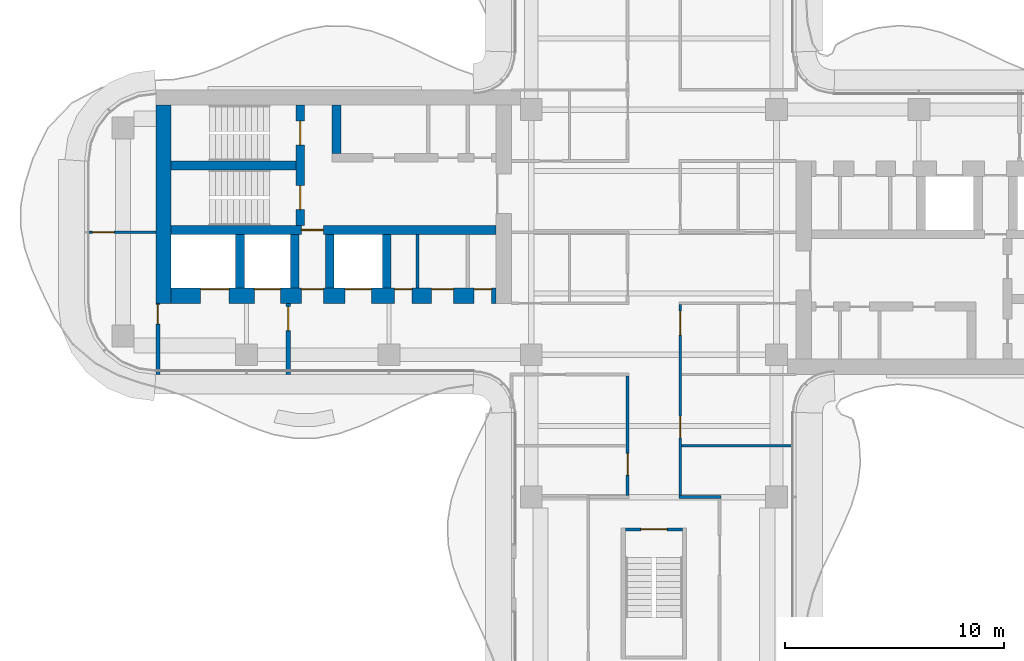
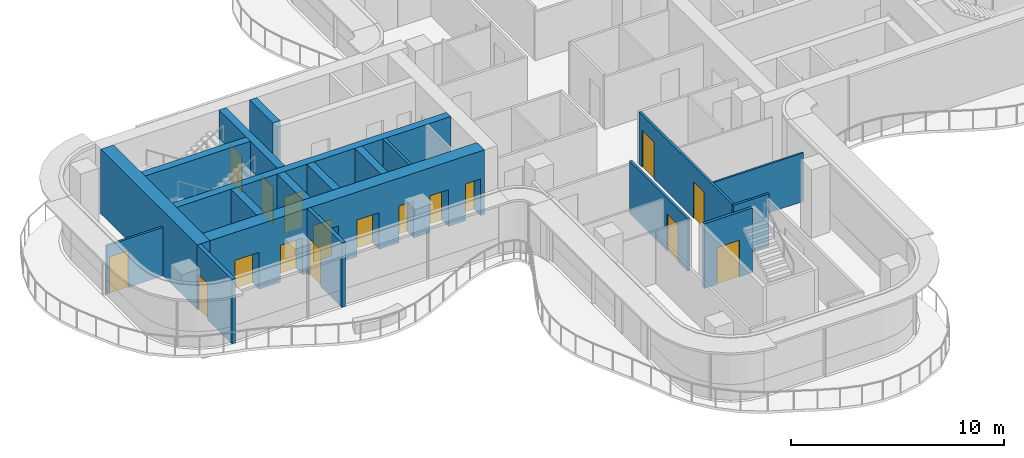
# One storey, part 11 of 16: 19 walls, 17 doors, 17 openings.
"""IFC4 building model written with IfcOpenShell, lengths in metres."""

from ifc_helpers import new_model, si_unit, direction, frame, frame_2d, origin, place, context, subcontext, project, spatial, rectangle, extrude, source, transform, mapped, material, layer, layer_set, type_object, element, fill, save


model = new_model("IFC4")

# Units and contexts
model_context = context("Model", 3, precision=1e-05, world=origin(), true_north=direction((0.0, 1.0)))
body_context = subcontext(model_context, "Body", "Model", "MODEL_VIEW")
ifc_project = project(units=[si_unit("LENGTHUNIT", "METRE"), si_unit("AREAUNIT", "SQUARE_METRE"), si_unit("VOLUMEUNIT", "CUBIC_METRE"), si_unit("PLANEANGLEUNIT", "RADIAN"), si_unit("MASSUNIT", "GRAM", prefix="KILO")], contexts=[model_context])

# Site, building, storey
site_placement = place(None, origin())
site = spatial("IfcSite", under=ifc_project, at=site_placement, CompositionType="ELEMENT")
building_placement = place(site_placement, origin())
building = spatial("IfcBuilding", under=site, at=building_placement, Name="Trellis Farm Tower", CompositionType="ELEMENT")
storey_placement = place(building_placement, frame((0.0, 0.0, 310.60009765625)))
storey = spatial("IfcBuildingStorey", under=building, at=storey_placement, Name="L70", CompositionType="ELEMENT", Elevation=310.60009765625)

# Walls
ifc_material_1 = material(Name="Concrete C50/60", Category="concrete")
ifc_layer_1 = layer(ifc_material_1, 0.699951171875)
ifc_layer_set_1 = layer_set([ifc_layer_1], Name="CORE OUTER WALL 700 CONCRETE C50/60")
wall_type_1 = type_object("IfcWallType", Name="CORE OUTER WALL 700 CONCRETE C50/60", PredefinedType="SHEAR", material=ifc_layer_set_1)
shared_shape_1 = source(origin(), body_context, "Body", "SweptSolid", [
    extrude(rectangle(XDim=9.050048828125, YDim=0.699951171875, at=frame_2d((4.52490234375, 0.0))), origin(), (0.0, 0.0, 1.0), 3.699951171875),
])
wall_1_placement = place(storey_placement, frame((-22.39990234375, 5.800048828125, 0.0), z_axis=(0.0, 0.0, 1.0), x_axis=(0.0, -1.0, 0.0)))
element("IfcWall", 1, at=wall_1_placement, inside=storey, type_object=wall_type_1, Name="Core wall", PredefinedType="SHEAR", context=body_context, shape_type="MappedRepresentation", body=[
    mapped(shared_shape_1, transform((0.0, 0.0, 0.0))),
])
ifc_layer_2 = layer(ifc_material_1, 0.39990234375)
ifc_layer_set_2 = layer_set([ifc_layer_2], Name="CORE INNER WALL 400 CONCRETE C50/60")
wall_type_2 = type_object("IfcWallType", Name="CORE INNER WALL 400 CONCRETE C50/60", PredefinedType="SHEAR", material=ifc_layer_set_2)
shared_shape_2 = source(origin(), body_context, "Body", "SweptSolid", [
    extrude(rectangle(XDim=2.449951171875, YDim=0.39990234375, at=frame_2d((1.22509765625, 0.0))), origin(), (0.0, 0.0, 1.0), 3.699951171875),
])
for number, where, z_axis, x_axis, name in (
    (2, (-12.199951171875, -0.10009765625, 0.0), (0.0, 0.0, 1.0), (0.0, -1.0, 0.0), "Core wall"),
    (3, (-14.800048828125, -0.10009765625, 0.0), (0.0, 0.0, 1.0), (0.0, -1.0, 0.0), "Core wall"),
    (4, (-16.39990234375, -0.10009765625, 0.0), (0.0, 0.0, 1.0), (0.0, -1.0, 0.0), "Core wall"),
    (5, (-18.89990234375, -0.10009765625, 0.0), (0.0, 0.0, 1.0), (0.0, -1.0, 0.0), "Core wall"),
):
    element("IfcWall", number, at=place(storey_placement, frame(where, z_axis=z_axis, x_axis=x_axis)), inside=storey, type_object=wall_type_2, Name=name, PredefinedType="SHEAR", context=body_context, shape_type="MappedRepresentation", body=[
        mapped(shared_shape_2, transform((0.0, 0.0, 0.0))),
    ])

# Wall, opening, door
ifc_material_2 = material(Name="Masonry blockwork", Category="masonry")
ifc_layer_3 = layer(ifc_material_2, 0.199951171875)
ifc_layer_set_3 = layer_set([ifc_layer_3], Name="FIRE LOBBY PARTITION 200 BLOCKWORK")
wall_type_3 = type_object("IfcWallType", Name="FIRE LOBBY PARTITION 200 BLOCKWORK", PredefinedType="PARTITIONING", material=ifc_layer_set_3)
shared_shape_3 = source(origin(), body_context, "Body", "SweptSolid", [
    extrude(rectangle(XDim=3.25, YDim=0.199951171875, at=frame_2d((1.625, 0.0))), origin(), (0.0, 0.0, 1.0), 3.699951171875),
])
wall_2_placement = place(storey_placement, frame((-16.699951171875, -3.25, 0.0), z_axis=(0.0, 0.0, 1.0), x_axis=(0.0, -1.0, 0.0)))
wall_2 = element("IfcWall", 6, at=wall_2_placement, inside=storey, type_object=wall_type_3, Name="Fire-fighting lobby partition", PredefinedType="PARTITIONING", context=body_context, shape_type="MappedRepresentation", body=[
    mapped(shared_shape_3, transform((0.0, 0.0, 0.0))),
])
shared_shape_4 = source(origin(), body_context, "Body", "SweptSolid", [
    extrude(rectangle(XDim=1.10009765625, YDim=2.10009765625, at=frame_2d((0.550048828125, 1.050048828125))), frame((0.0, 0.110107421875, 0.0), z_axis=(0.0, -1.0, 0.0), x_axis=(1.0, 0.0, 0.0)), (0.0, 0.0, 1.0), 0.22021484375),
])
opening_1_placement = place(wall_2_placement, frame((0.14990234375, 0.0, 0.0)))
opening_1 = element("IfcOpeningElement", 7, at=opening_1_placement, cuts=wall_2, Name="Opening DC93", PredefinedType="OPENING", context=body_context, shape_type="MappedRepresentation", body=[
    mapped(shared_shape_4, transform((0.0, 0.0, 0.0))),
])
ifc_material_3 = material(Name="Steel", Category="steel")
door_type_1 = type_object("IfcDoorType", Name="CORE FIRE DOOR 1100 X 2100", OperationType="NOTDEFINED", PredefinedType="DOOR", material=ifc_material_3)
shared_shape_5 = source(origin(), body_context, "Body", "SweptSolid", [
    extrude(rectangle(XDim=1.10009765625, YDim=2.10009765625, at=frame_2d((0.550048828125, 1.050048828125))), frame((0.0, 0.02490234375, 0.0), z_axis=(0.0, -1.0, 0.0), x_axis=(1.0, 0.0, 0.0)), (0.0, 0.0, 1.0), 0.050048828125),
])
door_1_placement = place(opening_1_placement, origin())
door_1 = element("IfcDoor", 8, at=door_1_placement, inside=storey, type_object=door_type_1, Name="Core door", OperationType="SINGLE_SWING_RIGHT", OverallHeight=2.10009765625, OverallWidth=1.10009765625, PredefinedType="DOOR", context=body_context, shape_type="MappedRepresentation", body=[
    mapped(shared_shape_5, transform((0.0, 0.0, 0.0))),
])
fill(opening_1, door_1)

wall_3_placement = place(storey_placement, frame((-22.64990234375, -3.25, 0.0), z_axis=(0.0, 0.0, 1.0), x_axis=(0.0, -1.0, 0.0)))
wall_3 = element("IfcWall", 9, at=wall_3_placement, inside=storey, type_object=wall_type_3, Name="Fire-fighting lobby partition", PredefinedType="PARTITIONING", context=body_context, shape_type="MappedRepresentation", body=[
    mapped(shared_shape_3, transform((0.0, 0.0, 0.0))),
])
shared_shape_6 = source(origin(), body_context, "Body", "SweptSolid", [
    extrude(rectangle(XDim=0.89990234375, YDim=2.10009765625, at=frame_2d((0.449951171875, 1.050048828125))), frame((0.0, 0.110107421875, 0.0), z_axis=(0.0, -1.0, 0.0), x_axis=(1.0, 0.0, 0.0)), (0.0, 0.0, 1.0), 0.22021484375),
])
opening_2_placement = place(wall_3_placement, frame((0.050048828125, 0.0, 0.0)))
opening_2 = element("IfcOpeningElement", 10, at=opening_2_placement, cuts=wall_3, Name="Opening DC94", PredefinedType="OPENING", context=body_context, shape_type="MappedRepresentation", body=[
    mapped(shared_shape_6, transform((0.0, 0.0, 0.0))),
])
door_type_2 = type_object("IfcDoorType", Name="CORE FIRE DOOR 900 X 2100", OperationType="NOTDEFINED", PredefinedType="DOOR", material=ifc_material_3)
shared_shape_7 = source(origin(), body_context, "Body", "SweptSolid", [
    extrude(rectangle(XDim=0.89990234375, YDim=2.10009765625, at=frame_2d((0.449951171875, 1.050048828125))), frame((0.0, 0.02490234375, 0.0), z_axis=(0.0, -1.0, 0.0), x_axis=(1.0, 0.0, 0.0)), (0.0, 0.0, 1.0), 0.050048828125),
])
door_2_placement = place(opening_2_placement, origin())
door_2 = element("IfcDoor", 11, at=door_2_placement, inside=storey, type_object=door_type_2, Name="Core door", OperationType="SINGLE_SWING_RIGHT", OverallHeight=2.10009765625, OverallWidth=0.89990234375, PredefinedType="DOOR", context=body_context, shape_type="MappedRepresentation", body=[
    mapped(shared_shape_7, transform((0.0, 0.0, 0.0))),
])
fill(opening_2, door_2)

# Wall, openings, doors
shared_shape_8 = source(origin(), body_context, "Body", "SweptSolid", [
    extrude(rectangle(XDim=14.85009765625, YDim=0.699951171875, at=frame_2d((7.425048828125, 0.0))), origin(), (0.0, 0.0, 1.0), 3.699951171875),
])
wall_4_placement = place(storey_placement, frame((-7.199951171875, -2.89990234375, 0.0), z_axis=(0.0, 0.0, 1.0), x_axis=(-1.0, 0.0, 0.0)))
wall_4 = element("IfcWall", 12, at=wall_4_placement, inside=storey, type_object=wall_type_1, Name="Core wall", PredefinedType="SHEAR", context=body_context, shape_type="MappedRepresentation", body=[
    mapped(shared_shape_8, transform((0.0, 0.0, 0.0))),
])
shared_shape_9 = source(origin(), body_context, "Body", "SweptSolid", [
    extrude(rectangle(XDim=1.199951171875, YDim=2.10009765625, at=frame_2d((0.60009765625, 1.050048828125))), frame((0.0, 0.360107421875, 0.0), z_axis=(0.0, -1.0, 0.0), x_axis=(1.0, 0.0, 0.0)), (0.0, 0.0, 1.0), 0.72021484375),
])
opening_3_placement = place(wall_4_placement, frame((5.699951171875, 0.0, 0.0)))
opening_3 = element("IfcOpeningElement", 13, at=opening_3_placement, cuts=wall_4, Name="Opening LD14", PredefinedType="OPENING", context=body_context, shape_type="MappedRepresentation", body=[
    mapped(shared_shape_9, transform((0.0, 0.0, 0.0))),
])
shared_shape_10 = source(origin(), body_context, "Body", "SweptSolid", [
    extrude(rectangle(XDim=1.300048828125, YDim=2.10009765625, at=frame_2d((0.64990234375, 1.050048828125))), frame((0.0, 0.360107421875, 0.0), z_axis=(0.0, -1.0, 0.0), x_axis=(1.0, 0.0, 0.0)), (0.0, 0.0, 1.0), 0.72021484375),
])
opening_4_placement = place(wall_4_placement, frame((12.199951171875, 0.0, 0.0)))
opening_4 = element("IfcOpeningElement", 14, at=opening_4_placement, cuts=wall_4, Name="Opening LD15", PredefinedType="OPENING", context=body_context, shape_type="MappedRepresentation", body=[
    mapped(shared_shape_10, transform((0.0, 0.0, 0.0))),
])
opening_5_placement = place(wall_4_placement, frame((9.85009765625, 0.0, 0.0)))
opening_5 = element("IfcOpeningElement", 15, at=opening_5_placement, cuts=wall_4, Name="Opening LD16", PredefinedType="OPENING", context=body_context, shape_type="MappedRepresentation", body=[
    mapped(shared_shape_9, transform((0.0, 0.0, 0.0))),
])
shared_shape_11 = source(origin(), body_context, "Body", "SweptSolid", [
    extrude(rectangle(XDim=1.0, YDim=2.10009765625, at=frame_2d((0.5, 1.050048828125))), frame((0.0, 0.360107421875, 0.0), z_axis=(0.0, -1.0, 0.0), x_axis=(1.0, 0.0, 0.0)), (0.0, 0.0, 1.0), 0.72021484375),
])
opening_6_placement = place(wall_4_placement, frame((7.89990234375, 0.0, 0.0)))
opening_6 = element("IfcOpeningElement", 16, at=opening_6_placement, cuts=wall_4, Name="Opening DC92", PredefinedType="OPENING", context=body_context, shape_type="MappedRepresentation", body=[
    mapped(shared_shape_11, transform((0.0, 0.0, 0.0))),
])
shared_shape_12 = source(origin(), body_context, "Body", "SweptSolid", [
    extrude(rectangle(XDim=0.800048828125, YDim=2.10009765625, at=frame_2d((0.39990234375, 1.050048828125))), frame((0.0, 0.360107421875, 0.0), z_axis=(0.0, -1.0, 0.0), x_axis=(1.0, 0.0, 0.0)), (0.0, 0.0, 1.0), 0.72021484375),
])
opening_7_placement = place(wall_4_placement, frame((0.21240234375, 0.0, 0.0)))
opening_7 = element("IfcOpeningElement", 17, at=opening_7_placement, cuts=wall_4, Name="Opening DC96", PredefinedType="OPENING", context=body_context, shape_type="MappedRepresentation", body=[
    mapped(shared_shape_12, transform((0.0, 0.0, 0.0))),
])
opening_8_placement = place(wall_4_placement, frame((1.949951171875, 0.0, 0.0)))
opening_8 = element("IfcOpeningElement", 18, at=opening_8_placement, cuts=wall_4, Name="Opening DC105", PredefinedType="OPENING", context=body_context, shape_type="MappedRepresentation", body=[
    mapped(shared_shape_11, transform((0.0, 0.0, 0.0))),
])
opening_9_placement = place(wall_4_placement, frame((3.83740234375, 0.0, 0.0)))
opening_9 = element("IfcOpeningElement", 19, at=opening_9_placement, cuts=wall_4, Name="Opening DC108", PredefinedType="OPENING", context=body_context, shape_type="MappedRepresentation", body=[
    mapped(shared_shape_12, transform((0.0, 0.0, 0.0))),
])
door_type_3 = type_object("IfcDoorType", Name="CORE FIRE DOOR 1000 X 2100", OperationType="NOTDEFINED", PredefinedType="DOOR", material=ifc_material_3)
shared_shape_13 = source(origin(), body_context, "Body", "SweptSolid", [
    extrude(rectangle(XDim=1.0, YDim=2.10009765625, at=frame_2d((0.5, 1.050048828125))), frame((0.0, -0.27490234375, 0.0), z_axis=(0.0, -1.0, 0.0), x_axis=(1.0, 0.0, 0.0)), (0.0, 0.0, 1.0), 0.050048828125),
])
door_3_placement = place(opening_6_placement, origin())
door_3 = element("IfcDoor", 20, at=door_3_placement, inside=storey, type_object=door_type_3, Name="Core door", OperationType="SINGLE_SWING_LEFT", OverallHeight=2.10009765625, OverallWidth=1.0, PredefinedType="DOOR", context=body_context, shape_type="MappedRepresentation", body=[
    mapped(shared_shape_13, transform((0.0, 0.0, 0.0))),
])
fill(opening_6, door_3)
door_4_placement = place(opening_8_placement, origin())
door_4 = element("IfcDoor", 21, at=door_4_placement, inside=storey, type_object=door_type_3, Name="Core door", OperationType="SINGLE_SWING_LEFT", OverallHeight=2.10009765625, OverallWidth=1.0, PredefinedType="DOOR", context=body_context, shape_type="MappedRepresentation", body=[
    mapped(shared_shape_13, transform((0.0, 0.0, 0.0))),
])
fill(opening_8, door_4)
ifc_material_4 = material(Name="Stainless steel", Category="steel")
door_type_4 = type_object("IfcDoorType", Name="LIFT LANDING DOOR 1300 X 2100", OperationType="DOUBLE_DOOR_SLIDING", PredefinedType="DOOR", material=ifc_material_4)
shared_shape_14 = source(origin(), body_context, "Body", "SweptSolid", [
    extrude(rectangle(XDim=1.300048828125, YDim=2.10009765625, at=frame_2d((0.64990234375, 1.050048828125))), frame((0.0, -0.27490234375, 0.0), z_axis=(0.0, -1.0, 0.0), x_axis=(1.0, 0.0, 0.0)), (0.0, 0.0, 1.0), 0.050048828125),
])
door_5_placement = place(opening_4_placement, origin())
door_5 = element("IfcDoor", 22, at=door_5_placement, inside=storey, type_object=door_type_4, Name="Lift landing door", OperationType="DOUBLE_DOOR_SLIDING", OverallHeight=2.10009765625, OverallWidth=1.300048828125, PredefinedType="DOOR", context=body_context, shape_type="MappedRepresentation", body=[
    mapped(shared_shape_14, transform((0.0, 0.0, 0.0))),
])
fill(opening_4, door_5)
door_type_5 = type_object("IfcDoorType", Name="LIFT LANDING DOOR 1200 X 2100", OperationType="DOUBLE_DOOR_SLIDING", PredefinedType="DOOR", material=ifc_material_4)
shared_shape_15 = source(origin(), body_context, "Body", "SweptSolid", [
    extrude(rectangle(XDim=1.199951171875, YDim=2.10009765625, at=frame_2d((0.60009765625, 1.050048828125))), frame((0.0, -0.27490234375, 0.0), z_axis=(0.0, -1.0, 0.0), x_axis=(1.0, 0.0, 0.0)), (0.0, 0.0, 1.0), 0.050048828125),
])
door_6_placement = place(opening_3_placement, origin())
door_6 = element("IfcDoor", 23, at=door_6_placement, inside=storey, type_object=door_type_5, Name="Lift landing door", OperationType="DOUBLE_DOOR_SLIDING", OverallHeight=2.10009765625, OverallWidth=1.199951171875, PredefinedType="DOOR", context=body_context, shape_type="MappedRepresentation", body=[
    mapped(shared_shape_15, transform((0.0, 0.0, 0.0))),
])
fill(opening_3, door_6)
door_7_placement = place(opening_5_placement, origin())
door_7 = element("IfcDoor", 24, at=door_7_placement, inside=storey, type_object=door_type_5, Name="Lift landing door", OperationType="DOUBLE_DOOR_SLIDING", OverallHeight=2.10009765625, OverallWidth=1.199951171875, PredefinedType="DOOR", context=body_context, shape_type="MappedRepresentation", body=[
    mapped(shared_shape_15, transform((0.0, 0.0, 0.0))),
])
fill(opening_5, door_7)
door_type_6 = type_object("IfcDoorType", Name="CORE FIRE DOOR 800 X 2100", OperationType="NOTDEFINED", PredefinedType="DOOR", material=ifc_material_3)
shared_shape_16 = source(origin(), body_context, "Body", "SweptSolid", [
    extrude(rectangle(XDim=0.800048828125, YDim=2.10009765625, at=frame_2d((0.39990234375, 1.050048828125))), frame((0.0, -0.27490234375, 0.0), z_axis=(0.0, -1.0, 0.0), x_axis=(1.0, 0.0, 0.0)), (0.0, 0.0, 1.0), 0.050048828125),
])
door_8_placement = place(opening_7_placement, origin())
door_8 = element("IfcDoor", 25, at=door_8_placement, inside=storey, type_object=door_type_6, Name="Core door", OperationType="SINGLE_SWING_RIGHT", OverallHeight=2.10009765625, OverallWidth=0.800048828125, PredefinedType="DOOR", context=body_context, shape_type="MappedRepresentation", body=[
    mapped(shared_shape_16, transform((0.0, 0.0, 0.0))),
])
fill(opening_7, door_8)
door_9_placement = place(opening_9_placement, origin())
door_9 = element("IfcDoor", 26, at=door_9_placement, inside=storey, type_object=door_type_6, Name="Core door", OperationType="SINGLE_SWING_RIGHT", OverallHeight=2.10009765625, OverallWidth=0.800048828125, PredefinedType="DOOR", context=body_context, shape_type="MappedRepresentation", body=[
    mapped(shared_shape_16, transform((0.0, 0.0, 0.0))),
])
fill(opening_9, door_9)

# Wall, opening, door
shared_shape_17 = source(origin(), body_context, "Body", "SweptSolid", [
    extrude(rectangle(XDim=14.85009765625, YDim=0.39990234375, at=frame_2d((7.425048828125, 0.0))), origin(), (0.0, 0.0, 1.0), 3.699951171875),
])
wall_5_placement = place(storey_placement, frame((-7.199951171875, 0.10009765625, 0.0), z_axis=(0.0, 0.0, 1.0), x_axis=(-1.0, 0.0, 0.0)))
wall_5 = element("IfcWall", 27, at=wall_5_placement, inside=storey, type_object=wall_type_2, Name="Core wall", PredefinedType="SHEAR", context=body_context, shape_type="MappedRepresentation", body=[
    mapped(shared_shape_17, transform((0.0, 0.0, 0.0))),
])
shared_shape_18 = source(origin(), body_context, "Body", "SweptSolid", [
    extrude(rectangle(XDim=1.0, YDim=2.10009765625, at=frame_2d((0.5, 1.050048828125))), frame((0.0, 0.2099609375, 0.0), z_axis=(0.0, -1.0, 0.0), x_axis=(1.0, 0.0, 0.0)), (0.0, 0.0, 1.0), 0.419921875),
])
opening_10_placement = place(wall_5_placement, frame((7.89990234375, 0.0, 0.0)))
opening_10 = element("IfcOpeningElement", 28, at=opening_10_placement, cuts=wall_5, Name="Opening DC91", PredefinedType="OPENING", context=body_context, shape_type="MappedRepresentation", body=[
    mapped(shared_shape_18, transform((0.0, 0.0, 0.0))),
])
shared_shape_19 = source(origin(), body_context, "Body", "SweptSolid", [
    extrude(rectangle(XDim=1.0, YDim=2.10009765625, at=frame_2d((0.5, 1.050048828125))), frame((0.0, 0.02490234375, 0.0), z_axis=(0.0, -1.0, 0.0), x_axis=(1.0, 0.0, 0.0)), (0.0, 0.0, 1.0), 0.050048828125),
])
door_10_placement = place(opening_10_placement, origin())
door_10 = element("IfcDoor", 29, at=door_10_placement, inside=storey, type_object=door_type_3, Name="Core door", OperationType="SINGLE_SWING_RIGHT", OverallHeight=2.10009765625, OverallWidth=1.0, PredefinedType="DOOR", context=body_context, shape_type="MappedRepresentation", body=[
    mapped(shared_shape_19, transform((0.0, 0.0, 0.0))),
])
fill(opening_10, door_10)

# Wall, openings, doors
shared_shape_20 = source(origin(), body_context, "Body", "SweptSolid", [
    extrude(rectangle(XDim=5.5, YDim=0.39990234375, at=frame_2d((2.75, 0.0))), origin(), (0.0, 0.0, 1.0), 3.699951171875),
])
wall_6_placement = place(storey_placement, frame((-16.14990234375, 5.800048828125, 0.0), z_axis=(0.0, 0.0, 1.0), x_axis=(0.0, -1.0, 0.0)))
wall_6 = element("IfcWall", 30, at=wall_6_placement, inside=storey, type_object=wall_type_2, Name="Core wall", PredefinedType="SHEAR", context=body_context, shape_type="MappedRepresentation", body=[
    mapped(shared_shape_20, transform((0.0, 0.0, 0.0))),
])
shared_shape_21 = source(origin(), body_context, "Body", "SweptSolid", [
    extrude(rectangle(XDim=1.10009765625, YDim=2.10009765625, at=frame_2d((0.550048828125, 1.050048828125))), frame((0.0, 0.2099609375, 0.0), z_axis=(0.0, -1.0, 0.0), x_axis=(1.0, 0.0, 0.0)), (0.0, 0.0, 1.0), 0.419921875),
])
opening_11_placement = place(wall_6_placement, frame((0.72509765625, 0.0, 0.0)))
opening_11 = element("IfcOpeningElement", 31, at=opening_11_placement, cuts=wall_6, Name="Opening DC88", PredefinedType="OPENING", context=body_context, shape_type="MappedRepresentation", body=[
    mapped(shared_shape_21, transform((0.0, 0.0, 0.0))),
])
opening_12_placement = place(wall_6_placement, frame((3.675048828125, 0.0, 0.0)))
opening_12 = element("IfcOpeningElement", 32, at=opening_12_placement, cuts=wall_6, Name="Opening DC89", PredefinedType="OPENING", context=body_context, shape_type="MappedRepresentation", body=[
    mapped(shared_shape_21, transform((0.0, 0.0, 0.0))),
])
door_11_placement = place(opening_11_placement, origin())
door_11 = element("IfcDoor", 33, at=door_11_placement, inside=storey, type_object=door_type_1, Name="Core door", OperationType="SINGLE_SWING_RIGHT", OverallHeight=2.10009765625, OverallWidth=1.10009765625, PredefinedType="DOOR", context=body_context, shape_type="MappedRepresentation", body=[
    mapped(shared_shape_5, transform((0.0, 0.0, 0.0))),
])
fill(opening_11, door_11)
door_12_placement = place(opening_12_placement, origin())
door_12 = element("IfcDoor", 34, at=door_12_placement, inside=storey, type_object=door_type_1, Name="Core door", OperationType="SINGLE_SWING_LEFT", OverallHeight=2.10009765625, OverallWidth=1.10009765625, PredefinedType="DOOR", context=body_context, shape_type="MappedRepresentation", body=[
    mapped(shared_shape_5, transform((0.0, 0.0, 0.0))),
])
fill(opening_12, door_12)

# Walls
shared_shape_22 = source(origin(), body_context, "Body", "SweptSolid", [
    extrude(rectangle(XDim=5.699951171875, YDim=0.39990234375, at=frame_2d((2.85009765625, 0.0))), origin(), (0.0, 0.0, 1.0), 3.699951171875),
])
wall_7_placement = place(storey_placement, frame((-16.35009765625, 3.050048828125, 0.0), z_axis=(0.0, 0.0, 1.0), x_axis=(-1.0, 0.0, 0.0)))
element("IfcWall", 35, at=wall_7_placement, inside=storey, type_object=wall_type_2, Name="Core wall", PredefinedType="SHEAR", context=body_context, shape_type="MappedRepresentation", body=[
    mapped(shared_shape_22, transform((0.0, 0.0, 0.0))),
])
shared_shape_23 = source(origin(), body_context, "Body", "SweptSolid", [
    extrude(rectangle(XDim=2.199951171875, YDim=0.39990234375, at=frame_2d((1.10009765625, 0.0))), origin(), (0.0, 0.0, 1.0), 3.699951171875),
])
wall_8_placement = place(storey_placement, frame((-14.5, 5.800048828125, 0.0), z_axis=(0.0, 0.0, 1.0), x_axis=(0.0, -1.0, 0.0)))
element("IfcWall", 36, at=wall_8_placement, inside=storey, type_object=wall_type_2, Name="Core wall", PredefinedType="SHEAR", context=body_context, shape_type="MappedRepresentation", body=[
    mapped(shared_shape_23, transform((0.0, 0.0, 0.0))),
])
ifc_layer_4 = layer(ifc_material_2, 0.14990234375)
ifc_layer_set_4 = layer_set([ifc_layer_4], Name="CORE PARTITION 150 BLOCKWORK")
wall_type_4 = type_object("IfcWallType", Name="CORE PARTITION 150 BLOCKWORK", PredefinedType="PARTITIONING", material=ifc_layer_set_4)
shared_shape_24 = source(origin(), body_context, "Body", "SweptSolid", [
    extrude(rectangle(XDim=2.449951171875, YDim=0.14990234375, at=frame_2d((1.22509765625, 0.0))), origin(), (0.0, 0.0, 1.0), 3.699951171875),
])
wall_9_placement = place(storey_placement, frame((-10.800048828125, -0.10009765625, 0.0), z_axis=(0.0, 0.0, 1.0), x_axis=(0.0, -1.0, 0.0)))
element("IfcWall", 37, at=wall_9_placement, inside=storey, type_object=wall_type_4, Name="Core room partition", PredefinedType="PARTITIONING", context=body_context, shape_type="MappedRepresentation", body=[
    mapped(shared_shape_24, transform((0.0, 0.0, 0.0))),
])

# Wall, opening, door
ifc_layer_5 = layer(ifc_material_1, 0.14990234375)
ifc_layer_set_5 = layer_set([ifc_layer_5], Name="CORE STAIR ENCLOSURE WALL 150 CONCRETE C50/60")
wall_type_5 = type_object("IfcWallType", Name="CORE STAIR ENCLOSURE WALL 150 CONCRETE C50/60", PredefinedType="SHEAR", material=ifc_layer_set_5)
shared_shape_25 = source(origin(), body_context, "Body", "SweptSolid", [
    extrude(rectangle(XDim=2.60009765625, YDim=0.14990234375, at=frame_2d((1.300048828125, 0.0))), origin(), (0.0, 0.0, 1.0), 3.699951171875),
])
wall_10_placement = place(storey_placement, frame((1.300048828125, -13.574951171875, 0.0), z_axis=(0.0, 0.0, 1.0), x_axis=(-1.0, 0.0, 0.0)))
wall_10 = element("IfcWall", 38, at=wall_10_placement, inside=storey, type_object=wall_type_5, Name="Stair enclosure wall", PredefinedType="SHEAR", context=body_context, shape_type="MappedRepresentation", body=[
    mapped(shared_shape_25, transform((0.0, 0.0, 0.0))),
])
shared_shape_26 = source(origin(), body_context, "Body", "SweptSolid", [
    extrude(rectangle(XDim=1.199951171875, YDim=2.10009765625, at=frame_2d((0.60009765625, 1.050048828125))), frame((0.0, 0.0849609375, 0.0), z_axis=(0.0, -1.0, 0.0), x_axis=(1.0, 0.0, 0.0)), (0.0, 0.0, 1.0), 0.169921875),
])
opening_13_placement = place(wall_10_placement, frame((0.699951171875, 0.0, 0.0)))
opening_13 = element("IfcOpeningElement", 39, at=opening_13_placement, cuts=wall_10, Name="Opening DC174", PredefinedType="OPENING", context=body_context, shape_type="MappedRepresentation", body=[
    mapped(shared_shape_26, transform((0.0, 0.0, 0.0))),
])
door_type_7 = type_object("IfcDoorType", Name="CORE FIRE DOOR 1200 X 2100", OperationType="NOTDEFINED", PredefinedType="DOOR", material=ifc_material_3)
shared_shape_27 = source(origin(), body_context, "Body", "SweptSolid", [
    extrude(rectangle(XDim=1.199951171875, YDim=2.10009765625, at=frame_2d((0.60009765625, 1.050048828125))), frame((0.0, 0.02490234375, 0.0), z_axis=(0.0, -1.0, 0.0), x_axis=(1.0, 0.0, 0.0)), (0.0, 0.0, 1.0), 0.050048828125),
])
door_13_placement = place(opening_13_placement, origin())
door_13 = element("IfcDoor", 40, at=door_13_placement, inside=storey, type_object=door_type_7, Name="Core door", OperationType="SINGLE_SWING_RIGHT", OverallHeight=2.10009765625, OverallWidth=1.199951171875, PredefinedType="DOOR", context=body_context, shape_type="MappedRepresentation", body=[
    mapped(shared_shape_27, transform((0.0, 0.0, 0.0))),
])
fill(opening_13, door_13)

ifc_material_5 = material(Name="Plasterboard on steel studs, mineral wool", Category="steel")
ifc_layer_6 = layer(ifc_material_5, 0.125)
ifc_layer_set_6 = layer_set([ifc_layer_6], Name="PARTITION 125 STUD EI 60")
wall_type_6 = type_object("IfcWallType", Name="PARTITION 125 STUD EI 60", PredefinedType="PARTITIONING", material=ifc_layer_set_6)
shared_shape_28 = source(origin(), body_context, "Body", "SweptSolid", [
    extrude(rectangle(XDim=5.47509765625, YDim=0.125, at=frame_2d((2.737548828125, 0.0))), origin(), (0.0, 0.0, 1.0), 2.99658203125),
])
wall_11_placement = place(storey_placement, frame((-1.199951171875, -6.5625, 0.0), z_axis=(0.0, 0.0, 1.0), x_axis=(0.0, -1.0, 0.0)))
wall_11 = element("IfcWall", 41, at=wall_11_placement, inside=storey, type_object=wall_type_6, Name="Partition PW1", PredefinedType="PARTITIONING", context=body_context, shape_type="MappedRepresentation", body=[
    mapped(shared_shape_28, transform((0.0, 0.0, 0.0))),
])
shared_shape_29 = source(origin(), body_context, "Body", "SweptSolid", [
    extrude(rectangle(XDim=1.0, YDim=2.10009765625, at=frame_2d((0.5, 1.050048828125))), frame((0.0, 0.072509765625, 0.0), z_axis=(0.0, -1.0, 0.0), x_axis=(1.0, 0.0, 0.0)), (0.0, 0.0, 1.0), 0.14501953125),
])
opening_14_placement = place(wall_11_placement, frame((3.53759765625, 0.0, 0.0)))
opening_14 = element("IfcOpeningElement", 42, at=opening_14_placement, cuts=wall_11, Name="Opening D102", PredefinedType="OPENING", context=body_context, shape_type="MappedRepresentation", body=[
    mapped(shared_shape_29, transform((0.0, 0.0, 0.0))),
])
ifc_material_6 = material(Name="Fire-rated timber door leaf in a hollow metal frame", Category="wood")
door_type_8 = type_object("IfcDoorType", Name="DOOR 1000x2100 FD30S", OperationType="NOTDEFINED", PredefinedType="DOOR", material=ifc_material_6)
door_14_placement = place(opening_14_placement, origin())
door_14 = element("IfcDoor", 43, at=door_14_placement, inside=storey, type_object=door_type_8, Name="Door D102", OperationType="SINGLE_SWING_LEFT", OverallHeight=2.10009765625, OverallWidth=1.0, PredefinedType="DOOR", context=body_context, shape_type="MappedRepresentation", body=[
    mapped(shared_shape_19, transform((0.0, 0.0, 0.0))),
])
fill(opening_14, door_14)

# Wall, openings, doors
shared_shape_30 = source(origin(), body_context, "Body", "SweptSolid", [
    extrude(rectangle(XDim=8.72509765625, YDim=0.125, at=frame_2d((4.362548828125, 0.0))), origin(), (0.0, 0.0, 1.0), 2.99658203125),
])
wall_12_placement = place(storey_placement, frame((1.199951171875, -3.3125, 0.0), z_axis=(0.0, 0.0, 1.0), x_axis=(0.0, -1.0, 0.0)))
wall_12 = element("IfcWall", 44, at=wall_12_placement, inside=storey, type_object=wall_type_6, Name="Partition PW1", PredefinedType="PARTITIONING", context=body_context, shape_type="MappedRepresentation", body=[
    mapped(shared_shape_30, transform((0.0, 0.0, 0.0))),
])
opening_15_placement = place(wall_12_placement, frame((5.08740234375, 0.0, 0.0)))
opening_15 = element("IfcOpeningElement", 45, at=opening_15_placement, cuts=wall_12, Name="Opening D103", PredefinedType="OPENING", context=body_context, shape_type="MappedRepresentation", body=[
    mapped(shared_shape_29, transform((0.0, 0.0, 0.0))),
])
shared_shape_31 = source(origin(), body_context, "Body", "SweptSolid", [
    extrude(rectangle(XDim=1.10009765625, YDim=2.10009765625, at=frame_2d((0.550048828125, 1.050048828125))), frame((0.0, 0.072509765625, 0.0), z_axis=(0.0, -1.0, 0.0), x_axis=(1.0, 0.0, 0.0)), (0.0, 0.0, 1.0), 0.14501953125),
])
opening_16_placement = place(wall_12_placement, frame((0.28759765625, 0.0, 0.0)))
opening_16 = element("IfcOpeningElement", 46, at=opening_16_placement, cuts=wall_12, Name="Opening D501", PredefinedType="OPENING", context=body_context, shape_type="MappedRepresentation", body=[
    mapped(shared_shape_31, transform((0.0, 0.0, 0.0))),
])
door_type_9 = type_object("IfcDoorType", Name="DOOR 1100x2100 FD30S", OperationType="NOTDEFINED", PredefinedType="DOOR", material=ifc_material_6)
door_15_placement = place(opening_16_placement, origin())
door_15 = element("IfcDoor", 47, at=door_15_placement, inside=storey, type_object=door_type_9, Name="Door D501", OperationType="SINGLE_SWING_LEFT", OverallHeight=2.10009765625, OverallWidth=1.10009765625, PredefinedType="DOOR", context=body_context, shape_type="MappedRepresentation", body=[
    mapped(shared_shape_5, transform((0.0, 0.0, 0.0))),
])
fill(opening_16, door_15)
door_16_placement = place(opening_15_placement, origin())
door_16 = element("IfcDoor", 48, at=door_16_placement, inside=storey, type_object=door_type_8, Name="Door D103", OperationType="SINGLE_SWING_RIGHT", OverallHeight=2.10009765625, OverallWidth=1.0, PredefinedType="DOOR", context=body_context, shape_type="MappedRepresentation", body=[
    mapped(shared_shape_19, transform((0.0, 0.0, 0.0))),
])
fill(opening_15, door_16)

# Walls
shared_shape_32 = source(origin(), body_context, "Body", "SweptSolid", [
    extrude(rectangle(XDim=1.925048828125, YDim=0.125, at=frame_2d((0.96240234375, 0.0))), origin(), (0.0, 0.0, 1.0), 2.99658203125),
])
wall_13_placement = place(storey_placement, frame((1.137451171875, -12.10009765625, 0.0), z_axis=(0.0, 0.0, 1.0), x_axis=(1.0, 0.0, 0.0)))
element("IfcWall", 49, at=wall_13_placement, inside=storey, type_object=wall_type_6, Name="Partition PW1", PredefinedType="PARTITIONING", context=body_context, shape_type="MappedRepresentation", body=[
    mapped(shared_shape_32, transform((0.0, 0.0, 0.0))),
])
ifc_material_7 = material(Name="Plasterboard on steel studs", Category="steel")
ifc_layer_7 = layer(ifc_material_7, 0.10009765625)
ifc_layer_set_7 = layer_set([ifc_layer_7], Name="PARTITION 100 STUD EI 30")
wall_type_7 = type_object("IfcWallType", Name="PARTITION 100 STUD EI 30", PredefinedType="PARTITIONING", material=ifc_layer_set_7)
shared_shape_33 = source(origin(), body_context, "Body", "SweptSolid", [
    extrude(rectangle(XDim=5.03759765625, YDim=0.10009765625, at=frame_2d((2.518798828125, 0.0))), origin(), (0.0, 0.0, 1.0), 2.77978515625),
])
wall_14_placement = place(storey_placement, frame((1.262451171875, -9.75, 0.0), z_axis=(0.0, 0.0, 1.0), x_axis=(1.0, 0.0, 0.0)))
element("IfcWall", 50, at=wall_14_placement, inside=storey, type_object=wall_type_7, Name="Partition PW2", PredefinedType="PARTITIONING", context=body_context, shape_type="MappedRepresentation", body=[
    mapped(shared_shape_33, transform((0.0, 0.0, 0.0))),
])

# Wall, opening, door
shared_shape_34 = source(origin(), body_context, "Body", "SweptSolid", [
    extrude(rectangle(XDim=3.050048828125, YDim=0.125, at=frame_2d((1.52490234375, 0.0))), origin(), (0.0, 0.0, 1.0), 2.77978515625),
])
wall_15_placement = place(storey_placement, frame((-25.800048828125, 0.0, 0.0), z_axis=(0.0, 0.0, 1.0), x_axis=(1.0, 0.0, 0.0)))
wall_15 = element("IfcWall", 51, at=wall_15_placement, inside=storey, type_object=wall_type_6, Name="Partition PW1", PredefinedType="PARTITIONING", context=body_context, shape_type="MappedRepresentation", body=[
    mapped(shared_shape_34, transform((0.0, 0.0, 0.0))),
])
opening_17_placement = place(wall_15_placement, frame((0.14990234375, 0.0, 0.0)))
opening_17 = element("IfcOpeningElement", 52, at=opening_17_placement, cuts=wall_15, Name="Opening D108", PredefinedType="OPENING", context=body_context, shape_type="MappedRepresentation", body=[
    mapped(shared_shape_29, transform((0.0, 0.0, 0.0))),
])
door_17_placement = place(opening_17_placement, origin())
door_17 = element("IfcDoor", 53, at=door_17_placement, inside=storey, type_object=door_type_8, Name="Door D108", OperationType="SINGLE_SWING_LEFT", OverallHeight=2.10009765625, OverallWidth=1.0, PredefinedType="DOOR", context=body_context, shape_type="MappedRepresentation", body=[
    mapped(shared_shape_19, transform((0.0, 0.0, 0.0))),
])
fill(opening_17, door_17)

save(model, "model.ifc")
